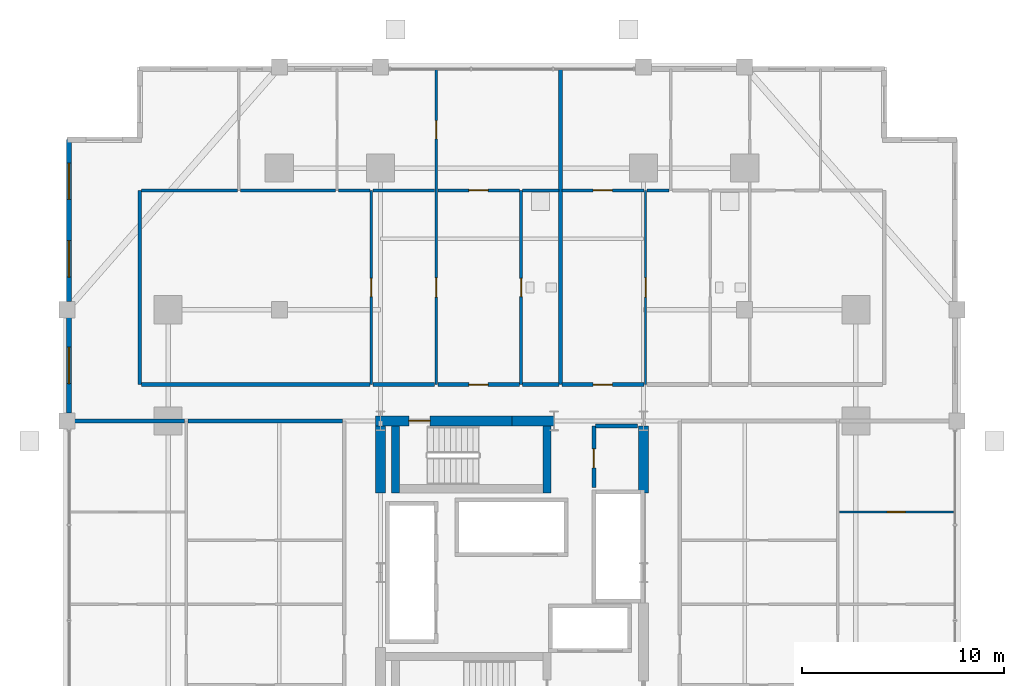
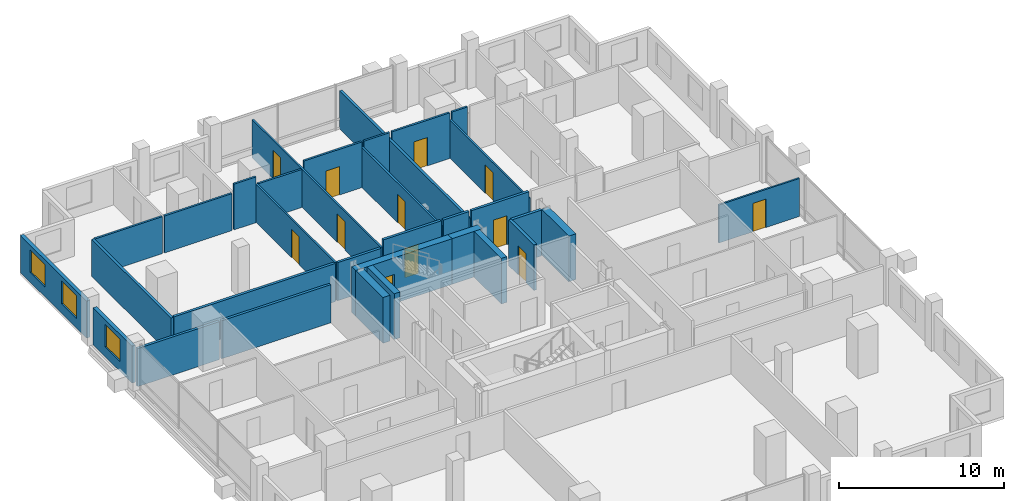
# One storey, part 19 of 23: 32 walls, 12 doors, 3 windows, 15 openings.
"""IFC4 building model written with IfcOpenShell, lengths in metres."""

from ifc_helpers import new_model, si_unit, direction, frame, frame_2d, origin, place, context, subcontext, project, spatial, rectangle, extrude, material, layer, layer_set, type_object, element, fill, save


model = new_model("IFC4")

# Units and contexts
model_context = context("Model", 3, precision=1e-05, world=origin(), true_north=direction((0.0, 1.0)))
body_context = subcontext(model_context, "Body", "Model", "MODEL_VIEW")
ifc_project = project(units=[si_unit("LENGTHUNIT", "METRE"), si_unit("AREAUNIT", "SQUARE_METRE"), si_unit("VOLUMEUNIT", "CUBIC_METRE"), si_unit("PLANEANGLEUNIT", "RADIAN"), si_unit("MASSUNIT", "GRAM", prefix="KILO")], contexts=[model_context])

# Site, building, storey
site_placement = place(None, origin())
site = spatial("IfcSite", under=ifc_project, at=site_placement, CompositionType="ELEMENT")
building_placement = place(site_placement, origin())
building = spatial("IfcBuilding", under=site, at=building_placement, Name="Barlavira Tower and Art Museum", CompositionType="ELEMENT")
storey_placement = place(building_placement, frame((0.0, 0.0, 64.800048828125)))
storey = spatial("IfcBuildingStorey", under=building, at=storey_placement, Name="L15", CompositionType="ELEMENT", Elevation=64.800048828125)

# Wall, opening, door
ifc_material_1 = material(Name="Gypsum acoustic stud partition", Category="gypsum")
ifc_layer_1 = layer(ifc_material_1, 0.1201171875, Name="Gypsum acoustic stud partition")
ifc_layer_set_1 = layer_set([ifc_layer_1], Name="Gypsum acoustic stud partition")
wall_type_1 = type_object("IfcWallType", Name="Apartment Internal Acoustic Partition 120", PredefinedType="PARTITIONING", material=ifc_layer_set_1)
wall_1_placement = place(storey_placement, frame((-6.949951171875, 9.300048828125, 0.0), z_axis=(0.0, 0.0, 1.0), x_axis=(0.0, 1.0, 0.0)))
wall_1 = element("IfcWall", 1, at=wall_1_placement, inside=storey, type_object=wall_type_1, Name="L15 Partition Wall 6", PredefinedType="PARTITIONING", context=body_context, shape_type="SweptSolid", body=[
    extrude(rectangle(XDim=9.599853515625, YDim=0.1201171875, at=frame_2d((4.7998046875, 0.0))), origin(), (0.0, 0.0, 1.0), 2.81591796875),
])
opening_1_placement = place(wall_1_placement, frame((4.35009765625, 0.0, 0.0)))
opening_1 = element("IfcOpeningElement", 2, at=opening_1_placement, cuts=wall_1, Name="Opening D-01", PredefinedType="OPENING", context=body_context, shape_type="SweptSolid", body=[
    extrude(rectangle(XDim=0.89990234375, YDim=2.10009765625, at=frame_2d((0.449951171875, 1.050048828125))), frame((0.0, 0.070068359375, 0.0), z_axis=(0.0, -1.0, 0.0), x_axis=(1.0, 0.0, 0.0)), (0.0, 0.0, 1.0), 0.14013671875),
])
ifc_material_2 = material(Name="Engineered coastal hardwood", Category="wood")
door_type_1 = type_object("IfcDoorType", Name="Internal Bedroom Timber Flush Door 900x2100", OperationType="NOTDEFINED", PredefinedType="DOOR", material=ifc_material_2)
door_1_placement = place(opening_1_placement, origin())
door_1 = element("IfcDoor", 3, at=door_1_placement, inside=storey, type_object=door_type_1, Name="Apartment N1 Walk-In Dressing Room Door", OperationType="SINGLE_SWING_LEFT", OverallHeight=2.10009765625, OverallWidth=0.89990234375, PredefinedType="DOOR", context=body_context, shape_type="SweptSolid", body=[
    extrude(rectangle(XDim=0.89990234375, YDim=2.10009765625, at=frame_2d((0.449951171875, 1.050048828125))), frame((0.0, 0.02490234375, 0.0), z_axis=(0.0, -1.0, 0.0), x_axis=(1.0, 0.0, 0.0)), (0.0, 0.0, 1.0), 0.050048828125),
])
fill(opening_1, door_1)

# Wall, openings, doors
wall_2_placement = place(storey_placement, frame((-3.75, 9.300048828125, 0.0), z_axis=(0.0, 0.0, 1.0), x_axis=(0.0, 1.0, 0.0)))
wall_2 = element("IfcWall", 4, at=wall_2_placement, inside=storey, type_object=wall_type_1, Name="L15 Partition Wall 8", PredefinedType="PARTITIONING", context=body_context, shape_type="SweptSolid", body=[
    extrude(rectangle(XDim=15.599853515625, YDim=0.1201171875, at=frame_2d((7.7998046875, 0.0))), origin(), (0.0, 0.0, 1.0), 2.81591796875),
])
opening_2_placement = place(wall_2_placement, frame((4.324951171875, 0.0, 0.0)))
opening_2 = element("IfcOpeningElement", 5, at=opening_2_placement, cuts=wall_2, Name="Opening D-02", PredefinedType="OPENING", context=body_context, shape_type="SweptSolid", body=[
    extrude(rectangle(XDim=0.949951171875, YDim=2.10009765625, at=frame_2d((0.47509765625, 1.050048828125))), frame((0.0, 0.070068359375, 0.0), z_axis=(0.0, -1.0, 0.0), x_axis=(1.0, 0.0, 0.0)), (0.0, 0.0, 1.0), 0.14013671875),
])
opening_3_placement = place(wall_2_placement, frame((12.14990234375, 0.0, 0.0)))
opening_3 = element("IfcOpeningElement", 6, at=opening_3_placement, cuts=wall_2, Name="Opening D-01", PredefinedType="OPENING", context=body_context, shape_type="SweptSolid", body=[
    extrude(rectangle(XDim=0.89990234375, YDim=2.10009765625, at=frame_2d((0.449951171875, 1.050048828125))), frame((0.0, 0.070068359375, 0.0), z_axis=(0.0, -1.0, 0.0), x_axis=(1.0, 0.0, 0.0)), (0.0, 0.0, 1.0), 0.14013671875),
])
door_2_placement = place(opening_3_placement, origin())
door_2 = element("IfcDoor", 7, at=door_2_placement, inside=storey, type_object=door_type_1, Name="Apartment N1 Bedroom 1 Door", OperationType="SINGLE_SWING_LEFT", OverallHeight=2.10009765625, OverallWidth=0.89990234375, PredefinedType="DOOR", context=body_context, shape_type="SweptSolid", body=[
    extrude(rectangle(XDim=0.89990234375, YDim=2.10009765625, at=frame_2d((0.449951171875, 1.050048828125))), frame((0.0, 0.02490234375, 0.0), z_axis=(0.0, -1.0, 0.0), x_axis=(1.0, 0.0, 0.0)), (0.0, 0.0, 1.0), 0.050048828125),
])
fill(opening_3, door_2)
door_type_2 = type_object("IfcDoorType", Name="Living and Salon Glazed-Leaf Door 950x2100", OperationType="NOTDEFINED", PredefinedType="DOOR", material=ifc_material_2)
door_3_placement = place(opening_2_placement, origin())
door_3 = element("IfcDoor", 8, at=door_3_placement, inside=storey, type_object=door_type_2, Name="Apartment N1 Kitchen Door", OperationType="SINGLE_SWING_RIGHT", OverallHeight=2.10009765625, OverallWidth=0.949951171875, PredefinedType="DOOR", context=body_context, shape_type="SweptSolid", body=[
    extrude(rectangle(XDim=0.949951171875, YDim=2.10009765625, at=frame_2d((0.47509765625, 1.050048828125))), frame((0.0, 0.02490234375, 0.0), z_axis=(0.0, -1.0, 0.0), x_axis=(1.0, 0.0, 0.0)), (0.0, 0.0, 1.0), 0.050048828125),
])
fill(opening_2, door_3)

# Wall, opening, door
wall_3_placement = place(storey_placement, frame((6.60009765625, 9.300048828125, 0.0), z_axis=(0.0, 0.0, 1.0), x_axis=(0.0, 1.0, 0.0)))
wall_3 = element("IfcWall", 9, at=wall_3_placement, inside=storey, type_object=wall_type_1, Name="L15 Partition Wall 12", PredefinedType="PARTITIONING", context=body_context, shape_type="SweptSolid", body=[
    extrude(rectangle(XDim=9.599853515625, YDim=0.1201171875, at=frame_2d((4.7998046875, 0.0))), origin(), (0.0, 0.0, 1.0), 2.81591796875),
])
opening_4_placement = place(wall_3_placement, frame((4.324951171875, 0.0, 0.0)))
opening_4 = element("IfcOpeningElement", 10, at=opening_4_placement, cuts=wall_3, Name="Opening D-02", PredefinedType="OPENING", context=body_context, shape_type="SweptSolid", body=[
    extrude(rectangle(XDim=0.949951171875, YDim=2.10009765625, at=frame_2d((0.47509765625, 1.050048828125))), frame((0.0, 0.070068359375, 0.0), z_axis=(0.0, -1.0, 0.0), x_axis=(1.0, 0.0, 0.0)), (0.0, 0.0, 1.0), 0.14013671875),
])
door_4_placement = place(opening_4_placement, origin())
door_4 = element("IfcDoor", 11, at=door_4_placement, inside=storey, type_object=door_type_2, Name="Apartment N2 Kitchen Door", OperationType="SINGLE_SWING_LEFT", OverallHeight=2.10009765625, OverallWidth=0.949951171875, PredefinedType="DOOR", context=body_context, shape_type="SweptSolid", body=[
    extrude(rectangle(XDim=0.949951171875, YDim=2.10009765625, at=frame_2d((0.47509765625, 1.050048828125))), frame((0.0, 0.02490234375, 0.0), z_axis=(0.0, -1.0, 0.0), x_axis=(1.0, 0.0, 0.0)), (0.0, 0.0, 1.0), 0.050048828125),
])
fill(opening_4, door_4)

wall_4_placement = place(storey_placement, frame((16.179931640625, 3.0, 0.0), z_axis=(0.0, 0.0, 1.0), x_axis=(1.0, 0.0, 0.0)))
wall_4 = element("IfcWall", 12, at=wall_4_placement, inside=storey, type_object=wall_type_1, Name="L15 Partition Wall 37", PredefinedType="PARTITIONING", context=body_context, shape_type="SweptSolid", body=[
    extrude(rectangle(XDim=5.64013671875, YDim=0.1201171875, at=frame_2d((2.820068359375, 0.0))), origin(), (0.0, 0.0, 1.0), 2.81591796875),
])
opening_5_placement = place(wall_4_placement, frame((2.3701171875, 0.0, 0.0)))
opening_5 = element("IfcOpeningElement", 13, at=opening_5_placement, cuts=wall_4, Name="Opening D-01", PredefinedType="OPENING", context=body_context, shape_type="SweptSolid", body=[
    extrude(rectangle(XDim=0.89990234375, YDim=2.10009765625, at=frame_2d((0.449951171875, 1.050048828125))), frame((0.0, 0.070068359375, 0.0), z_axis=(0.0, -1.0, 0.0), x_axis=(1.0, 0.0, 0.0)), (0.0, 0.0, 1.0), 0.14013671875),
])
door_5_placement = place(opening_5_placement, origin())
door_5 = element("IfcDoor", 14, at=door_5_placement, inside=storey, type_object=door_type_1, Name="Apartment E1 Bedroom 2 Door", OperationType="SINGLE_SWING_LEFT", OverallHeight=2.10009765625, OverallWidth=0.89990234375, PredefinedType="DOOR", context=body_context, shape_type="SweptSolid", body=[
    extrude(rectangle(XDim=0.89990234375, YDim=2.10009765625, at=frame_2d((0.449951171875, 1.050048828125))), frame((0.0, 0.02490234375, 0.0), z_axis=(0.0, -1.0, 0.0), x_axis=(1.0, 0.0, 0.0)), (0.0, 0.0, 1.0), 0.050048828125),
])
fill(opening_5, door_5)

ifc_material_3 = material(Name="Concrete C60", Category="concrete")
ifc_layer_2 = layer(ifc_material_3, 0.5, Name="Concrete C60")
ifc_layer_set_2 = layer_set([ifc_layer_2], Name="Concrete C60")
wall_type_2 = type_object("IfcWallType", Name="Core Structural Shear Wall 500 Concrete C60", PredefinedType="SHEAR", material=ifc_layer_set_2)
wall_5_placement = place(storey_placement, frame((-6.75, 7.5, 0.0), z_axis=(0.0, 0.0, 1.0), x_axis=(1.0, 0.0, 0.0)))
wall_5 = element("IfcWall", 15, at=wall_5_placement, inside=storey, type_object=wall_type_2, Name="L15 Core Shear Wall CS-NW", PredefinedType="SHEAR", context=body_context, shape_type="SweptSolid", body=[
    extrude(rectangle(XDim=6.75, YDim=0.5, at=frame_2d((3.375, 0.0))), origin(), (0.0, 0.0, 1.0), 3.3798828125),
])
opening_6_placement = place(wall_5_placement, frame((1.64990234375, 0.0, 0.0)))
opening_6 = element("IfcOpeningElement", 16, at=opening_6_placement, cuts=wall_5, Name="Opening FD-90", PredefinedType="OPENING", context=body_context, shape_type="SweptSolid", body=[
    extrude(rectangle(XDim=1.050048828125, YDim=2.14990234375, at=frame_2d((0.52490234375, 1.074951171875))), frame((0.0, 0.260009765625, 0.0), z_axis=(0.0, -1.0, 0.0), x_axis=(1.0, 0.0, 0.0)), (0.0, 0.0, 1.0), 0.52001953125),
])
ifc_material_4 = material(Name="Brushed stainless steel", Category="steel")
door_type_3 = type_object("IfcDoorType", Name="Stair and Refuge Fire Door 1050x2150 FD90S", OperationType="NOTDEFINED", PredefinedType="DOOR", material=ifc_material_4)
door_6_placement = place(opening_6_placement, origin())
door_6 = element("IfcDoor", 17, at=door_6_placement, inside=storey, type_object=door_type_3, Name="L15 Stair ST-T2 Fire Door", OperationType="SINGLE_SWING_LEFT", OverallHeight=2.14990234375, OverallWidth=1.050048828125, PredefinedType="DOOR", context=body_context, shape_type="SweptSolid", body=[
    extrude(rectangle(XDim=1.050048828125, YDim=2.14990234375, at=frame_2d((0.52490234375, 1.074951171875))), frame((0.0, 0.02490234375, 0.0), z_axis=(0.0, -1.0, 0.0), x_axis=(1.0, 0.0, 0.0)), (0.0, 0.0, 1.0), 0.050048828125),
])
fill(opening_6, door_6)

# Walls
wall_6_placement = place(storey_placement, frame((0.0, 7.5, 0.0), z_axis=(0.0, 0.0, 1.0), x_axis=(1.0, 0.0, 0.0)))
element("IfcWall", 18, at=wall_6_placement, inside=storey, type_object=wall_type_2, Name="L15 Core Shear Wall CS-EN", PredefinedType="SHEAR", context=body_context, shape_type="SweptSolid", body=[
    extrude(rectangle(XDim=2.080078125, YDim=0.5, at=frame_2d((1.0400390625, 0.0))), origin(), (0.0, 0.0, 1.0), 3.3798828125),
])
for number, where, z_axis, x_axis, name in (
    (19, (-6.5, 3.949951171875, 0.0), (0.0, 0.0, 1.0), (0.0, 1.0, 0.0), "L15 Core Shear Wall CS-W2"),
    (20, (6.5, 3.949951171875, 0.0), (0.0, 0.0, 1.0), (0.0, 1.0, 0.0), "L15 Core Shear Wall CS-E2"),
):
    element("IfcWall", number, at=place(storey_placement, frame(where, z_axis=z_axis, x_axis=x_axis)), inside=storey, type_object=wall_type_2, Name=name, PredefinedType="SHEAR", context=body_context, shape_type="SweptSolid", body=[
        extrude(rectangle(XDim=3.300048828125, YDim=0.5, at=frame_2d((1.64990234375, 0.0))), origin(), (0.0, 0.0, 1.0), 3.3798828125),
    ])

# Wall, opening, door
ifc_material_5 = material(Name="Autoclaved aerated concrete masonry", Category="masonry")
ifc_layer_3 = layer(ifc_material_5, 0.199951171875, Name="Autoclaved aerated concrete masonry")
ifc_layer_set_3 = layer_set([ifc_layer_3], Name="Autoclaved aerated concrete masonry")
wall_type_3 = type_object("IfcWallType", Name="Fire Compartment and Shaft Wall 200", PredefinedType="SOLIDWALL", material=ifc_layer_set_3)
wall_7_placement = place(storey_placement, frame((4.050048828125, 4.199951171875, 0.0), z_axis=(0.0, 0.0, 1.0), x_axis=(0.0, 1.0, 0.0)))
wall_7 = element("IfcWall", 21, at=wall_7_placement, inside=storey, type_object=wall_type_3, Name="L15 Partition Wall 11", PredefinedType="SOLIDWALL", context=body_context, shape_type="SweptSolid", body=[
    extrude(rectangle(XDim=3.050048828125, YDim=0.199951171875, at=frame_2d((1.52490234375, 0.0))), origin(), (0.0, 0.0, 1.0), 3.3798828125),
])
opening_7_placement = place(wall_7_placement, frame((0.97509765625, 0.0, 0.0)))
opening_7 = element("IfcOpeningElement", 22, at=opening_7_placement, cuts=wall_7, Name="Opening FD-60", PredefinedType="OPENING", context=body_context, shape_type="SweptSolid", body=[
    extrude(rectangle(XDim=0.949951171875, YDim=2.14990234375, at=frame_2d((0.47509765625, 1.074951171875))), frame((0.0, 0.10986328125, 0.0), z_axis=(0.0, -1.0, 0.0), x_axis=(1.0, 0.0, 0.0)), (0.0, 0.0, 1.0), 0.219970703125),
])
door_type_4 = type_object("IfcDoorType", Name="Apartment Entrance and Riser Fire Door 950x2150 FD60S", OperationType="NOTDEFINED", PredefinedType="DOOR", material=ifc_material_4)
door_7_placement = place(opening_7_placement, origin())
door_7 = element("IfcDoor", 23, at=door_7_placement, inside=storey, type_object=door_type_4, Name="Combined Electrical and Telecom Plant Room Door", OperationType="SINGLE_SWING_RIGHT", OverallHeight=2.14990234375, OverallWidth=0.949951171875, PredefinedType="DOOR", context=body_context, shape_type="SweptSolid", body=[
    extrude(rectangle(XDim=0.949951171875, YDim=2.14990234375, at=frame_2d((0.47509765625, 1.074951171875))), frame((0.0, 0.02490234375, 0.0), z_axis=(0.0, -1.0, 0.0), x_axis=(1.0, 0.0, 0.0)), (0.0, 0.0, 1.0), 0.050048828125),
])
fill(opening_7, door_7)

# Walls
wall_8_placement = place(storey_placement, frame((4.1298828125, 7.25, 0.0), z_axis=(0.0, 0.0, 1.0), x_axis=(1.0, 0.0, 0.0)))
element("IfcWall", 24, at=wall_8_placement, inside=storey, type_object=wall_type_3, Name="L15 Partition Wall 38", PredefinedType="SOLIDWALL", context=body_context, shape_type="SweptSolid", body=[
    extrude(rectangle(XDim=2.070068359375, YDim=0.199951171875, at=frame_2d((1.03515625, 0.0))), origin(), (0.0, 0.0, 1.0), 3.3798828125),
])
ifc_layer_4 = layer(ifc_material_1, 0.179931640625, Name="Gypsum acoustic stud partition")
ifc_layer_set_4 = layer_set([ifc_layer_4], Name="Gypsum acoustic stud partition")
wall_type_4 = type_object("IfcWallType", Name="Inter-Tenancy Party Partition Wall 180", PredefinedType="PARTITIONING", material=ifc_layer_set_4)
wall_9_placement = place(storey_placement, frame((-18.39990234375, 9.300048828125, 0.0), z_axis=(0.0, 0.0, 1.0), x_axis=(0.0, 1.0, 0.0)))
element("IfcWall", 25, at=wall_9_placement, inside=storey, type_object=wall_type_4, Name="L15 Partition Wall 1", PredefinedType="PARTITIONING", context=body_context, shape_type="SweptSolid", body=[
    extrude(rectangle(XDim=9.599853515625, YDim=0.179931640625, at=frame_2d((4.7998046875, 0.0))), origin(), (0.0, 0.0, 1.0), 2.73583984375),
])
wall_10_placement = place(storey_placement, frame((2.39990234375, 9.300048828125, 0.0), z_axis=(0.0, 0.0, 1.0), x_axis=(0.0, 1.0, 0.0)))
element("IfcWall", 26, at=wall_10_placement, inside=storey, type_object=wall_type_4, Name="L15 Partition Wall 10", PredefinedType="PARTITIONING", context=body_context, shape_type="SweptSolid", body=[
    extrude(rectangle(XDim=15.599853515625, YDim=0.179931640625, at=frame_2d((7.7998046875, 0.0))), origin(), (0.0, 0.0, 1.0), 2.81591796875),
])
wall_11_placement = place(storey_placement, frame((-21.89990234375, 7.5, 0.0), z_axis=(0.0, 0.0, 1.0), x_axis=(1.0, 0.0, 0.0)))
element("IfcWall", 27, at=wall_11_placement, inside=storey, type_object=wall_type_4, Name="L15 Partition Wall 39", PredefinedType="PARTITIONING", context=body_context, shape_type="SweptSolid", body=[
    extrude(rectangle(XDim=5.719970703125, YDim=0.179931640625, at=frame_2d((2.85986328125, 0.0))), origin(), (0.0, 0.0, 1.0), 2.81591796875),
])
wall_12_placement = place(storey_placement, frame((-16.02001953125, 7.5, 0.0), z_axis=(0.0, 0.0, 1.0), x_axis=(1.0, 0.0, 0.0)))
element("IfcWall", 28, at=wall_12_placement, inside=storey, type_object=wall_type_4, Name="L15 Partition Wall 40", PredefinedType="PARTITIONING", context=body_context, shape_type="SweptSolid", body=[
    extrude(rectangle(XDim=7.64013671875, YDim=0.179931640625, at=frame_2d((3.820068359375, 0.0))), origin(), (0.0, 0.0, 1.0), 2.81591796875),
])
wall_13_placement = place(storey_placement, frame((-18.320068359375, 9.300048828125, 0.0), z_axis=(0.0, 0.0, 1.0), x_axis=(1.0, 0.0, 0.0)))
element("IfcWall", 29, at=wall_13_placement, inside=storey, type_object=wall_type_4, Name="L15 Partition Wall 43", PredefinedType="PARTITIONING", context=body_context, shape_type="SweptSolid", body=[
    extrude(rectangle(XDim=11.2900390625, YDim=0.179931640625, at=frame_2d((5.64501953125, 0.0))), origin(), (0.0, 0.0, 1.0), 2.81591796875),
])
wall_14_placement = place(storey_placement, frame((-6.8701171875, 9.300048828125, 0.0), z_axis=(0.0, 0.0, 1.0), x_axis=(1.0, 0.0, 0.0)))
element("IfcWall", 30, at=wall_14_placement, inside=storey, type_object=wall_type_4, Name="L15 Partition Wall 44", PredefinedType="PARTITIONING", context=body_context, shape_type="SweptSolid", body=[
    extrude(rectangle(XDim=3.0400390625, YDim=0.179931640625, at=frame_2d((1.52001953125, 0.0))), origin(), (0.0, 0.0, 1.0), 2.81591796875),
])

# Wall, opening, door
wall_15_placement = place(storey_placement, frame((-3.669921875, 9.300048828125, 0.0), z_axis=(0.0, 0.0, 1.0), x_axis=(1.0, 0.0, 0.0)))
wall_15 = element("IfcWall", 31, at=wall_15_placement, inside=storey, type_object=wall_type_4, Name="L15 Partition Wall 45", PredefinedType="PARTITIONING", context=body_context, shape_type="SweptSolid", body=[
    extrude(rectangle(XDim=4.0400390625, YDim=0.179931640625, at=frame_2d((2.02001953125, 0.0))), origin(), (0.0, 0.0, 1.0), 3.3798828125),
])
opening_8_placement = place(wall_15_placement, frame((1.534912109375, 0.0, 0.0)))
opening_8 = element("IfcOpeningElement", 32, at=opening_8_placement, cuts=wall_15, Name="Opening FD-60", PredefinedType="OPENING", context=body_context, shape_type="SweptSolid", body=[
    extrude(rectangle(XDim=0.949951171875, YDim=2.14990234375, at=frame_2d((0.47509765625, 1.074951171875))), frame((0.0, 0.10009765625, 0.0), z_axis=(0.0, -1.0, 0.0), x_axis=(1.0, 0.0, 0.0)), (0.0, 0.0, 1.0), 0.199951171875),
])
door_8_placement = place(opening_8_placement, origin())
door_8 = element("IfcDoor", 33, at=door_8_placement, inside=storey, type_object=door_type_4, Name="Apartment Entrance Hall N1 Door", OperationType="SINGLE_SWING_LEFT", OverallHeight=2.14990234375, OverallWidth=0.949951171875, PredefinedType="DOOR", context=body_context, shape_type="SweptSolid", body=[
    extrude(rectangle(XDim=0.949951171875, YDim=2.14990234375, at=frame_2d((0.47509765625, 1.074951171875))), frame((0.0, 0.02490234375, 0.0), z_axis=(0.0, -1.0, 0.0), x_axis=(1.0, 0.0, 0.0)), (0.0, 0.0, 1.0), 0.050048828125),
])
fill(opening_8, door_8)

# Wall
wall_16_placement = place(storey_placement, frame((0.530029296875, 9.300048828125, 0.0), z_axis=(0.0, 0.0, 1.0), x_axis=(1.0, 0.0, 0.0)))
element("IfcWall", 34, at=wall_16_placement, inside=storey, type_object=wall_type_4, Name="L15 Partition Wall 46", PredefinedType="PARTITIONING", context=body_context, shape_type="SweptSolid", body=[
    extrude(rectangle(XDim=1.7900390625, YDim=0.179931640625, at=frame_2d((0.89501953125, 0.0))), origin(), (0.0, 0.0, 1.0), 3.3798828125),
])

# Wall, opening, door
wall_17_placement = place(storey_placement, frame((2.47998046875, 9.300048828125, 0.0), z_axis=(0.0, 0.0, 1.0), x_axis=(1.0, 0.0, 0.0)))
wall_17 = element("IfcWall", 35, at=wall_17_placement, inside=storey, type_object=wall_type_4, Name="L15 Partition Wall 47", PredefinedType="PARTITIONING", context=body_context, shape_type="SweptSolid", body=[
    extrude(rectangle(XDim=4.0400390625, YDim=0.179931640625, at=frame_2d((2.02001953125, 0.0))), origin(), (0.0, 0.0, 1.0), 3.3798828125),
])
opening_9_placement = place(wall_17_placement, frame((1.534912109375, 0.0, 0.0)))
opening_9 = element("IfcOpeningElement", 36, at=opening_9_placement, cuts=wall_17, Name="Opening FD-60", PredefinedType="OPENING", context=body_context, shape_type="SweptSolid", body=[
    extrude(rectangle(XDim=0.949951171875, YDim=2.14990234375, at=frame_2d((0.47509765625, 1.074951171875))), frame((0.0, 0.10009765625, 0.0), z_axis=(0.0, -1.0, 0.0), x_axis=(1.0, 0.0, 0.0)), (0.0, 0.0, 1.0), 0.199951171875),
])
door_9_placement = place(opening_9_placement, origin())
door_9 = element("IfcDoor", 37, at=door_9_placement, inside=storey, type_object=door_type_4, Name="Apartment Entrance Hall N2 Door", OperationType="SINGLE_SWING_RIGHT", OverallHeight=2.14990234375, OverallWidth=0.949951171875, PredefinedType="DOOR", context=body_context, shape_type="SweptSolid", body=[
    extrude(rectangle(XDim=0.949951171875, YDim=2.14990234375, at=frame_2d((0.47509765625, 1.074951171875))), frame((0.0, 0.02490234375, 0.0), z_axis=(0.0, -1.0, 0.0), x_axis=(1.0, 0.0, 0.0)), (0.0, 0.0, 1.0), 0.050048828125),
])
fill(opening_9, door_9)

ifc_layer_5 = layer(ifc_material_1, 0.139892578125, Name="Gypsum acoustic stud partition")
ifc_layer_set_5 = layer_set([ifc_layer_5], Name="Gypsum acoustic stud partition")
wall_type_5 = type_object("IfcWallType", Name="Moisture-Resistant Bathroom Partition 140", PredefinedType="PARTITIONING", material=ifc_layer_set_5)
wall_18_placement = place(storey_placement, frame((0.449951171875, 9.300048828125, 0.0), z_axis=(0.0, 0.0, 1.0), x_axis=(0.0, 1.0, 0.0)))
wall_18 = element("IfcWall", 38, at=wall_18_placement, inside=storey, type_object=wall_type_5, Name="L15 Partition Wall 9", PredefinedType="PARTITIONING", context=body_context, shape_type="SweptSolid", body=[
    extrude(rectangle(XDim=9.599853515625, YDim=0.139892578125, at=frame_2d((4.7998046875, 0.0))), origin(), (0.0, 0.0, 1.0), 2.947998046875),
])
opening_10_placement = place(wall_18_placement, frame((4.35009765625, 0.0, 0.0)))
opening_10 = element("IfcOpeningElement", 39, at=opening_10_placement, cuts=wall_18, Name="Opening D-WC", PredefinedType="OPENING", context=body_context, shape_type="SweptSolid", body=[
    extrude(rectangle(XDim=0.89990234375, YDim=2.10009765625, at=frame_2d((0.449951171875, 1.050048828125))), frame((0.0, 0.080078125, 0.0), z_axis=(0.0, -1.0, 0.0), x_axis=(1.0, 0.0, 0.0)), (0.0, 0.0, 1.0), 0.159912109375),
])
door_type_5 = type_object("IfcDoorType", Name="Accessible Bathroom Flush Door 900x2100", OperationType="NOTDEFINED", PredefinedType="DOOR", material=ifc_material_2)
door_10_placement = place(opening_10_placement, origin())
door_10 = element("IfcDoor", 40, at=door_10_placement, inside=storey, type_object=door_type_5, Name="Apartment N1 Hall Bathroom Door", OperationType="SINGLE_SWING_RIGHT", OverallHeight=2.10009765625, OverallWidth=0.89990234375, PredefinedType="DOOR", context=body_context, shape_type="SweptSolid", body=[
    extrude(rectangle(XDim=0.89990234375, YDim=2.10009765625, at=frame_2d((0.449951171875, 1.050048828125))), frame((0.0, 0.02490234375, 0.0), z_axis=(0.0, -1.0, 0.0), x_axis=(1.0, 0.0, 0.0)), (0.0, 0.0, 1.0), 0.050048828125),
])
fill(opening_10, door_10)

# Walls
wall_19_placement = place(storey_placement, frame((-18.320068359375, 18.89990234375, 0.0), z_axis=(0.0, 0.0, 1.0), x_axis=(1.0, 0.0, 0.0)))
element("IfcWall", 41, at=wall_19_placement, inside=storey, type_object=wall_type_5, Name="L15 Partition Wall 51", PredefinedType="PARTITIONING", context=body_context, shape_type="SweptSolid", body=[
    extrude(rectangle(XDim=4.739990234375, YDim=0.139892578125, at=frame_2d((2.3701171875, 0.0))), origin(), (0.0, 0.0, 1.0), 2.73583984375),
])
wall_20_placement = place(storey_placement, frame((-13.419921875, 18.89990234375, 0.0), z_axis=(0.0, 0.0, 1.0), x_axis=(1.0, 0.0, 0.0)))
element("IfcWall", 42, at=wall_20_placement, inside=storey, type_object=wall_type_5, Name="L15 Partition Wall 52", PredefinedType="PARTITIONING", context=body_context, shape_type="SweptSolid", body=[
    extrude(rectangle(XDim=4.68994140625, YDim=0.139892578125, at=frame_2d((2.344970703125, 0.0))), origin(), (0.0, 0.0, 1.0), 2.73583984375),
])
wall_21_placement = place(storey_placement, frame((-8.570068359375, 18.89990234375, 0.0), z_axis=(0.0, 0.0, 1.0), x_axis=(1.0, 0.0, 0.0)))
element("IfcWall", 43, at=wall_21_placement, inside=storey, type_object=wall_type_5, Name="L15 Partition Wall 53", PredefinedType="PARTITIONING", context=body_context, shape_type="SweptSolid", body=[
    extrude(rectangle(XDim=1.5400390625, YDim=0.139892578125, at=frame_2d((0.77001953125, 0.0))), origin(), (0.0, 0.0, 1.0), 3.3798828125),
])
wall_22_placement = place(storey_placement, frame((-6.8701171875, 18.89990234375, 0.0), z_axis=(0.0, 0.0, 1.0), x_axis=(1.0, 0.0, 0.0)))
element("IfcWall", 44, at=wall_22_placement, inside=storey, type_object=wall_type_5, Name="L15 Partition Wall 54", PredefinedType="PARTITIONING", context=body_context, shape_type="SweptSolid", body=[
    extrude(rectangle(XDim=3.0400390625, YDim=0.139892578125, at=frame_2d((1.52001953125, 0.0))), origin(), (0.0, 0.0, 1.0), 2.81591796875),
])

# Wall, opening, door
wall_23_placement = place(storey_placement, frame((-3.669921875, 18.89990234375, 0.0), z_axis=(0.0, 0.0, 1.0), x_axis=(1.0, 0.0, 0.0)))
wall_23 = element("IfcWall", 45, at=wall_23_placement, inside=storey, type_object=wall_type_5, Name="L15 Partition Wall 55", PredefinedType="PARTITIONING", context=body_context, shape_type="SweptSolid", body=[
    extrude(rectangle(XDim=4.0400390625, YDim=0.139892578125, at=frame_2d((2.02001953125, 0.0))), origin(), (0.0, 0.0, 1.0), 3.3798828125),
])
opening_11_placement = place(wall_23_placement, frame((1.534912109375, 0.0, 0.0)))
opening_11 = element("IfcOpeningElement", 46, at=opening_11_placement, cuts=wall_23, Name="Opening D-02", PredefinedType="OPENING", context=body_context, shape_type="SweptSolid", body=[
    extrude(rectangle(XDim=0.949951171875, YDim=2.10009765625, at=frame_2d((0.47509765625, 1.050048828125))), frame((0.0, 0.080078125, 0.0), z_axis=(0.0, -1.0, 0.0), x_axis=(1.0, 0.0, 0.0)), (0.0, 0.0, 1.0), 0.159912109375),
])
door_11_placement = place(opening_11_placement, origin())
door_11 = element("IfcDoor", 47, at=door_11_placement, inside=storey, type_object=door_type_2, Name="Apartment N1 Living Lounge Door", OperationType="SINGLE_SWING_RIGHT", OverallHeight=2.10009765625, OverallWidth=0.949951171875, PredefinedType="DOOR", context=body_context, shape_type="SweptSolid", body=[
    extrude(rectangle(XDim=0.949951171875, YDim=2.10009765625, at=frame_2d((0.47509765625, 1.050048828125))), frame((0.0, 0.02490234375, 0.0), z_axis=(0.0, -1.0, 0.0), x_axis=(1.0, 0.0, 0.0)), (0.0, 0.0, 1.0), 0.050048828125),
])
fill(opening_11, door_11)

# Wall
wall_24_placement = place(storey_placement, frame((0.530029296875, 18.89990234375, 0.0), z_axis=(0.0, 0.0, 1.0), x_axis=(1.0, 0.0, 0.0)))
element("IfcWall", 48, at=wall_24_placement, inside=storey, type_object=wall_type_5, Name="L15 Partition Wall 56", PredefinedType="PARTITIONING", context=body_context, shape_type="SweptSolid", body=[
    extrude(rectangle(XDim=1.7900390625, YDim=0.139892578125, at=frame_2d((0.89501953125, 0.0))), origin(), (0.0, 0.0, 1.0), 3.3798828125),
])

# Wall, opening, door
wall_25_placement = place(storey_placement, frame((2.47998046875, 18.89990234375, 0.0), z_axis=(0.0, 0.0, 1.0), x_axis=(1.0, 0.0, 0.0)))
wall_25 = element("IfcWall", 49, at=wall_25_placement, inside=storey, type_object=wall_type_5, Name="L15 Partition Wall 57", PredefinedType="PARTITIONING", context=body_context, shape_type="SweptSolid", body=[
    extrude(rectangle(XDim=4.0400390625, YDim=0.139892578125, at=frame_2d((2.02001953125, 0.0))), origin(), (0.0, 0.0, 1.0), 3.3798828125),
])
opening_12_placement = place(wall_25_placement, frame((1.534912109375, 0.0, 0.0)))
opening_12 = element("IfcOpeningElement", 50, at=opening_12_placement, cuts=wall_25, Name="Opening D-02", PredefinedType="OPENING", context=body_context, shape_type="SweptSolid", body=[
    extrude(rectangle(XDim=0.949951171875, YDim=2.10009765625, at=frame_2d((0.47509765625, 1.050048828125))), frame((0.0, 0.080078125, 0.0), z_axis=(0.0, -1.0, 0.0), x_axis=(1.0, 0.0, 0.0)), (0.0, 0.0, 1.0), 0.159912109375),
])
door_12_placement = place(opening_12_placement, origin())
door_12 = element("IfcDoor", 51, at=door_12_placement, inside=storey, type_object=door_type_2, Name="Apartment N2 Living Lounge Door", OperationType="SINGLE_SWING_RIGHT", OverallHeight=2.10009765625, OverallWidth=0.949951171875, PredefinedType="DOOR", context=body_context, shape_type="SweptSolid", body=[
    extrude(rectangle(XDim=0.949951171875, YDim=2.10009765625, at=frame_2d((0.47509765625, 1.050048828125))), frame((0.0, 0.02490234375, 0.0), z_axis=(0.0, -1.0, 0.0), x_axis=(1.0, 0.0, 0.0)), (0.0, 0.0, 1.0), 0.050048828125),
])
fill(opening_12, door_12)

# Wall
wall_26_placement = place(storey_placement, frame((6.679931640625, 18.89990234375, 0.0), z_axis=(0.0, 0.0, 1.0), x_axis=(1.0, 0.0, 0.0)))
element("IfcWall", 52, at=wall_26_placement, inside=storey, type_object=wall_type_5, Name="L15 Partition Wall 58", PredefinedType="PARTITIONING", context=body_context, shape_type="SweptSolid", body=[
    extrude(rectangle(XDim=1.090087890625, YDim=0.139892578125, at=frame_2d((0.544921875, 0.0))), origin(), (0.0, 0.0, 1.0), 3.3798828125),
])

# Wall, openings, windows
ifc_material_6 = material(Name="Precast concrete C40", Category="concrete")
ifc_layer_6 = layer(ifc_material_6, 0.25, Name="Precast concrete C40")
ifc_layer_set_6 = layer_set([ifc_layer_6], Name="Precast concrete C40")
wall_type_6 = type_object("IfcWallType", Name="Notched Corner Spandrel Wall 250 Precast Concrete C40", PredefinedType="SOLIDWALL", material=ifc_layer_set_6)
wall_27_placement = place(storey_placement, frame((-21.89990234375, 21.425048828125, 0.0), z_axis=(0.0, 0.0, 1.0), x_axis=(0.0, -1.0, 0.0)))
wall_27 = element("IfcWall", 53, at=wall_27_placement, inside=storey, type_object=wall_type_6, Name="L15 Coastal Facade Pier Wall CW1-L15-W-1", PredefinedType="SOLIDWALL", context=body_context, shape_type="SweptSolid", body=[
    extrude(rectangle(XDim=8.030029296875, YDim=0.25, at=frame_2d((4.01513671875, 0.0))), origin(), (0.0, 0.0, 1.0), 2.73583984375),
])
opening_13_placement = place(wall_27_placement, frame((1.176025390625, 0.0, 0.719970703125)))
opening_13 = element("IfcOpeningElement", 54, at=opening_13_placement, cuts=wall_27, Name="Opening WN-01", PredefinedType="OPENING", context=body_context, shape_type="SweptSolid", body=[
    extrude(rectangle(XDim=1.800048828125, YDim=1.679931640625, at=frame_2d((0.89990234375, 0.83984375))), frame((0.0, 0.135009765625, 0.0), z_axis=(0.0, -1.0, 0.0), x_axis=(1.0, 0.0, 0.0)), (0.0, 0.0, 1.0), 0.27001953125),
])
opening_14_placement = place(wall_27_placement, frame((5.009033203125, 0.0, 0.719970703125)))
opening_14 = element("IfcOpeningElement", 55, at=opening_14_placement, cuts=wall_27, Name="Opening WN-01", PredefinedType="OPENING", context=body_context, shape_type="SweptSolid", body=[
    extrude(rectangle(XDim=1.800048828125, YDim=1.679931640625, at=frame_2d((0.89990234375, 0.83984375))), frame((0.0, 0.135009765625, 0.0), z_axis=(0.0, -1.0, 0.0), x_axis=(1.0, 0.0, 0.0)), (0.0, 0.0, 1.0), 0.27001953125),
])
ifc_material_7 = material(Name="Low-iron coastal laminated glass", Category="glass")
window_type = type_object("IfcWindowType", Name="Recessed Notch Corner Punch Window 1800x1680", PartitioningType="SINGLE_PANEL", PredefinedType="WINDOW", material=ifc_material_7)
window_1_placement = place(opening_13_placement, origin())
window_1 = element("IfcWindow", 56, at=window_1_placement, inside=storey, type_object=window_type, Name="L15 Punched Facade Window EWP-CW1-L15-W-1-1", OverallHeight=1.679931640625, OverallWidth=1.800048828125, PartitioningType="SINGLE_PANEL", PredefinedType="WINDOW", context=body_context, shape_type="SweptSolid", body=[
    extrude(rectangle(XDim=1.800048828125, YDim=1.679931640625, at=frame_2d((0.89990234375, 0.83984375))), frame((0.0, 0.030029296875, 0.0), z_axis=(0.0, -1.0, 0.0), x_axis=(1.0, 0.0, 0.0)), (0.0, 0.0, 1.0), 0.06005859375),
])
fill(opening_13, window_1)
window_2_placement = place(opening_14_placement, origin())
window_2 = element("IfcWindow", 57, at=window_2_placement, inside=storey, type_object=window_type, Name="L15 Punched Facade Window EWP-CW1-L15-W-1-2", OverallHeight=1.679931640625, OverallWidth=1.800048828125, PartitioningType="SINGLE_PANEL", PredefinedType="WINDOW", context=body_context, shape_type="SweptSolid", body=[
    extrude(rectangle(XDim=1.800048828125, YDim=1.679931640625, at=frame_2d((0.89990234375, 0.83984375))), frame((0.0, 0.030029296875, 0.0), z_axis=(0.0, -1.0, 0.0), x_axis=(1.0, 0.0, 0.0)), (0.0, 0.0, 1.0), 0.06005859375),
])
fill(opening_14, window_2)

# Wall, opening, window
wall_28_placement = place(storey_placement, frame((-21.89990234375, 12.60498046875, 0.0), z_axis=(0.0, 0.0, 1.0), x_axis=(0.0, -1.0, 0.0)))
wall_28 = element("IfcWall", 58, at=wall_28_placement, inside=storey, type_object=wall_type_6, Name="L15 Coastal Facade Pier Wall CW1-L15-W-2", PredefinedType="SOLIDWALL", context=body_context, shape_type="SweptSolid", body=[
    extrude(rectangle(XDim=4.7099609375, YDim=0.25, at=frame_2d((2.35498046875, 0.0))), origin(), (0.0, 0.0, 1.0), 2.73583984375),
])
opening_15_placement = place(wall_28_placement, frame((1.455078125, 0.0, 0.719970703125)))
opening_15 = element("IfcOpeningElement", 59, at=opening_15_placement, cuts=wall_28, Name="Opening WN-01", PredefinedType="OPENING", context=body_context, shape_type="SweptSolid", body=[
    extrude(rectangle(XDim=1.800048828125, YDim=1.679931640625, at=frame_2d((0.89990234375, 0.83984375))), frame((0.0, 0.135009765625, 0.0), z_axis=(0.0, -1.0, 0.0), x_axis=(1.0, 0.0, 0.0)), (0.0, 0.0, 1.0), 0.27001953125),
])
window_3_placement = place(opening_15_placement, origin())
window_3 = element("IfcWindow", 60, at=window_3_placement, inside=storey, type_object=window_type, Name="L15 Punched Facade Window EWP-CW1-L15-W-2-1", OverallHeight=1.679931640625, OverallWidth=1.800048828125, PartitioningType="SINGLE_PANEL", PredefinedType="WINDOW", context=body_context, shape_type="SweptSolid", body=[
    extrude(rectangle(XDim=1.800048828125, YDim=1.679931640625, at=frame_2d((0.89990234375, 0.83984375))), frame((0.0, 0.030029296875, 0.0), z_axis=(0.0, -1.0, 0.0), x_axis=(1.0, 0.0, 0.0)), (0.0, 0.0, 1.0), 0.06005859375),
])
fill(opening_15, window_3)

# Walls
ifc_material_8 = material(Name="Concrete C55", Category="concrete")
ifc_layer_7 = layer(ifc_material_8, 0.39990234375, Name="Concrete C55")
ifc_layer_set_7 = layer_set([ifc_layer_7], Name="Concrete C55")
wall_type_7 = type_object("IfcWallType", Name="Upper Core Shear Wall 400 Concrete C55", PredefinedType="SHEAR", material=ifc_layer_set_7)
for number, where, z_axis, x_axis, name in (
    (61, (1.72998046875, 3.949951171875, 0.0), (0.0, 0.0, 1.0), (0.0, 1.0, 0.0), "L15 ST-T2 East Half-Landing Wall"),
    (62, (-5.75, 3.949951171875, 0.0), (0.0, 0.0, 1.0), (0.0, 1.0, 0.0), "L15 ST-T2 West Shaft Wall"),
):
    element("IfcWall", number, at=place(storey_placement, frame(where, z_axis=z_axis, x_axis=x_axis)), inside=storey, type_object=wall_type_7, Name=name, PredefinedType="SHEAR", context=body_context, shape_type="SweptSolid", body=[
        extrude(rectangle(XDim=3.300048828125, YDim=0.39990234375, at=frame_2d((1.64990234375, 0.0))), origin(), (0.0, 0.0, 1.0), 3.3798828125),
    ])

save(model, "model.ifc")
